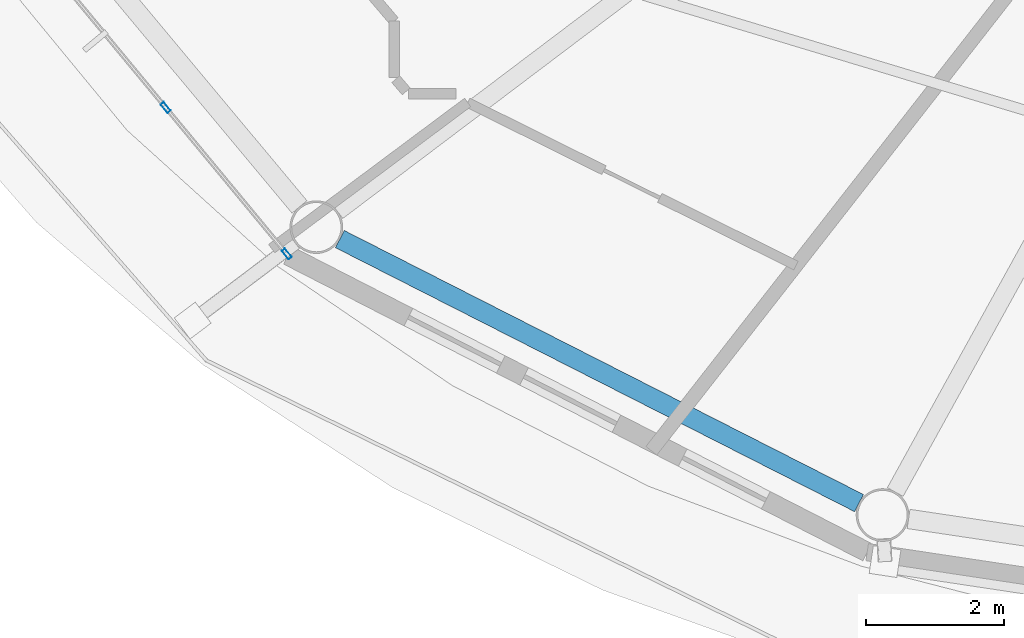
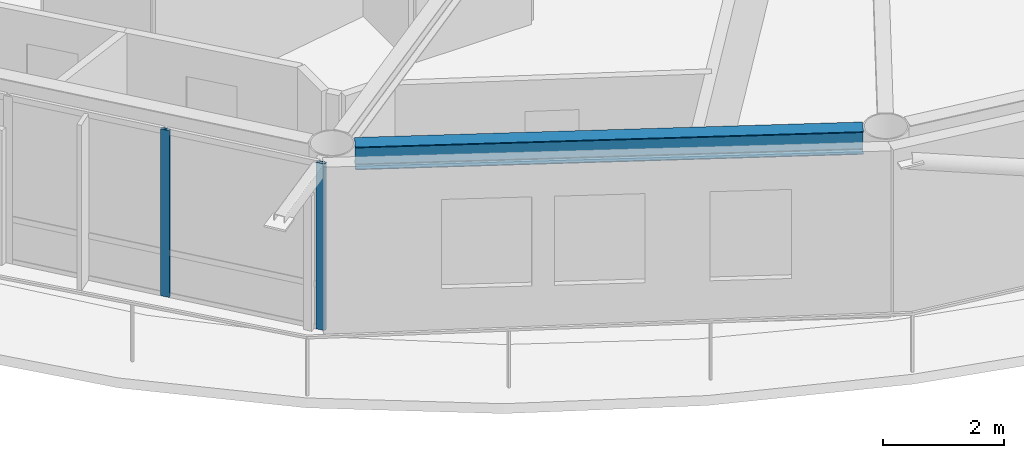
# One storey, part 2 of 22: 2 members, 1 beam, 1 element without a shape of its own.
"""IFC4 building model written with IfcOpenShell, lengths in metres."""

import ifcopenshell
import ifcopenshell.guid

model = None  # the IFC model being written
_history = None  # IfcOwnerHistory: only IFC2X3 demands one
_inside = {}  # id of a spatial element -> (the spatial element, [elements in it])
_under = {}  # id of a project, library or spatial element -> (it, [spatial elements below it])
_declared = {}  # id of a project -> (the project, [libraries it declares])
_typed = {}  # id of a type object -> (the type object, [elements of that type])
_made_of = {}  # id of a material, layer set ... -> (it, [elements and type objects made of it])


def new_model(schema):
    """Start an empty IFC model of exactly this schema.

    Asked for "IFC4X3", IfcOpenShell would pick the latest addendum, in which some entities
    have other attributes; the version numbers below select the first issue.
    IFC2X3 requires an IfcOwnerHistory on every rooted entity: one is made here for all.
    """
    global model, _history
    if schema == "IFC4X3":
        model = ifcopenshell.file(schema_version=(4, 3, 0, 0))
    else:
        model = ifcopenshell.file(schema=schema)
    _inside.clear()
    _under.clear()
    _declared.clear()
    _typed.clear()
    _made_of.clear()
    _history = None
    if model.schema == "IFC2X3":
        org = make("IfcOrganization", Name="unknown")
        user = make(
            "IfcPersonAndOrganization",
            ThePerson=make("IfcPerson", FamilyName="unknown"),
            TheOrganization=org,
        )
        app = make(
            "IfcApplication",
            ApplicationDeveloper=org,
            Version="unknown",
            ApplicationFullName="unknown",
            ApplicationIdentifier="unknown",
        )
        _history = make(
            "IfcOwnerHistory",
            OwningUser=user,
            OwningApplication=app,
            ChangeAction="ADDED",
            CreationDate=0,
        )
    return model


def make(cls, **values):
    """One entity of the class cls with the attributes given. An attribute that is None is left unset."""
    return model.create_entity(
        cls, **{name: value for name, value in values.items() if value is not None}
    )


def rooted(cls, **values):
    """An entity with a GlobalId (a new one), such as an element, a storey or a relation."""
    return make(cls, GlobalId=ifcopenshell.guid.new(), OwnerHistory=_history, **values)


def si_unit(unit_type, name, prefix=None):
    """IfcSIUnit, for example si_unit("LENGTHUNIT", "METRE", prefix="MILLI")."""
    return make("IfcSIUnit", UnitType=unit_type, Prefix=prefix, Name=name)


def assignment(units):
    """IfcUnitAssignment: the units of a project."""
    return None if units is None else make("IfcUnitAssignment", Units=units)


def point(xyz):
    """IfcCartesianPoint."""
    return None if xyz is None else make("IfcCartesianPoint", Coordinates=xyz)


def direction(xyz):
    """IfcDirection."""
    return None if xyz is None else make("IfcDirection", DirectionRatios=xyz)


def frame(location, z_axis=None, x_axis=None):
    """IfcAxis2Placement3D, a coordinate frame: its origin and axes. An axis left out is left unset."""
    return make(
        "IfcAxis2Placement3D",
        Location=point(location),
        Axis=direction(z_axis),
        RefDirection=direction(x_axis),
    )


def frame_2d(location, x_axis=None):
    """IfcAxis2Placement2D, a coordinate frame in the plane: its origin and x axis."""
    return make(
        "IfcAxis2Placement2D", Location=point(location), RefDirection=direction(x_axis)
    )


def origin():
    """The frame at (0, 0, 0) with its axes left unset."""
    return frame((0.0, 0.0, 0.0))


def origin_2d():
    """The frame at (0, 0) in the plane with its x axis left unset."""
    return frame_2d((0.0, 0.0))


def place(relative_to, where):
    """IfcLocalPlacement: puts the frame where relative to a parent placement (None: the world)."""
    return make(
        "IfcLocalPlacement", PlacementRelTo=relative_to, RelativePlacement=where
    )


def context(
    kind, dimensions, precision=None, world=None, true_north=None, identifier=None
):
    """IfcGeometricRepresentationContext, for example the 3D "Model" context."""
    return make(
        "IfcGeometricRepresentationContext",
        ContextIdentifier=identifier,
        ContextType=kind,
        CoordinateSpaceDimension=dimensions,
        Precision=precision,
        WorldCoordinateSystem=world,
        TrueNorth=true_north,
    )


def subcontext(parent, identifier, kind, view, scale=None):
    """IfcGeometricRepresentationSubContext, for example "Body" below "Model"."""
    return make(
        "IfcGeometricRepresentationSubContext",
        ContextIdentifier=identifier,
        ContextType=kind,
        ParentContext=parent,
        TargetScale=scale,
        TargetView=view,
    )


def project(units=None, contexts=None):
    """IfcProject with its units and contexts."""
    return rooted(
        "IfcProject",
        Name="project",
        RepresentationContexts=contexts,
        UnitsInContext=assignment(units),
    )


def spatial(cls, under=None, at=None, **own):
    """A site, building, storey or space (cls), placed at a placement, below another one or the project."""
    s = rooted(cls, ObjectPlacement=at, **own)
    if under is not None:
        _under.setdefault(under.id(), (under, []))[1].append(s)
    return s


def profile(cls, at=None, kind="AREA", **sizes):
    """A parametric profile (cls). Its sizes go by their IFC names, for example OverallWidth=200.0."""
    return make(cls, ProfileType=kind, Position=at, **sizes)


def hollow_rectangle(**sizes):
    """IfcRectangleHollowProfileDef."""
    return profile("IfcRectangleHollowProfileDef", **sizes)


def i_section(**sizes):
    """IfcIShapeProfileDef."""
    return profile("IfcIShapeProfileDef", **sizes)


def extrude(swept, where, along, depth):
    """IfcExtrudedAreaSolid: the profile swept, set in the frame where, extruded along a direction by depth."""
    return make(
        "IfcExtrudedAreaSolid",
        SweptArea=swept,
        Position=where,
        ExtrudedDirection=direction(along),
        Depth=depth,
    )


def shape(context_of_items, identifier, shape_type, items):
    """IfcShapeRepresentation: the items that make up one representation, for example the "Body"."""
    return make(
        "IfcShapeRepresentation",
        ContextOfItems=context_of_items,
        RepresentationIdentifier=identifier,
        RepresentationType=shape_type,
        Items=items,
    )


def material(Name=None, Category=None):
    """IfcMaterial."""
    return make("IfcMaterial", Name=Name, Category=Category)


def layer(
    of_material, thickness, ventilated=None, Name=None, Category=None, Priority=None
):
    """IfcMaterialLayer: one layer of a wall or slab, of a material (None: an air gap)."""
    return make(
        "IfcMaterialLayer",
        Material=of_material,
        LayerThickness=thickness,
        IsVentilated=ventilated,
        Name=Name,
        Category=Category,
        Priority=Priority,
    )


def layer_set(layers, Name=None):
    """IfcMaterialLayerSet."""
    return make("IfcMaterialLayerSet", MaterialLayers=layers, LayerSetName=Name)


def material_profile(
    of_material, cross_section, Name=None, Category=None, Priority=None
):
    """IfcMaterialProfile: a cross section and its material."""
    return make(
        "IfcMaterialProfile",
        Name=Name,
        Material=of_material,
        Profile=cross_section,
        Priority=Priority,
        Category=Category,
    )


def profile_set(profiles, Name=None, composite=None):
    """IfcMaterialProfileSet."""
    return make(
        "IfcMaterialProfileSet",
        Name=Name,
        MaterialProfiles=profiles,
        CompositeProfile=composite,
    )


def made_of(thing, what):
    """Note that an element or type object is made of a material, layer set ...; save() writes the relation."""
    if what is not None:
        _made_of.setdefault(what.id(), (what, []))[1].append(thing)
    return thing


def type_object(cls, material=None, **own):
    """A type object (cls), such as IfcWallType, which elements share."""
    return made_of(rooted(cls, **own), material)


def element(
    cls,
    number,
    at=None,
    inside=None,
    cuts=None,
    type_object=None,
    material=None,
    context=None,
    identifier="Body",
    shape_type=None,
    held_by="IfcProductDefinitionShape",
    body=None,
    shapes=None,
    **own,
):
    """One element of the class cls, such as IfcWall. Its Tag is "e" and its number.

    at: its placement. inside: the storey or other place that contains it. cuts: it is an
    opening in that element (IfcRelVoidsElement). A single representation is given by context,
    identifier, shape_type and body (its items); several are given by shapes. held_by: the class
    of the entity that holds the representations. save() writes the other relations.
    """
    e = rooted(cls, Tag="e%d" % number, ObjectPlacement=at, **own)
    if body is not None:
        shapes = [shape(context, identifier, shape_type, body)]
    if shapes is not None:
        e.Representation = make(held_by, Representations=shapes)
    if inside is not None:
        _inside.setdefault(inside.id(), (inside, []))[1].append(e)
    if cuts is not None:
        rooted(
            "IfcRelVoidsElement", RelatingBuildingElement=cuts, RelatedOpeningElement=e
        )
    if type_object is not None:
        _typed.setdefault(type_object.id(), (type_object, []))[1].append(e)
    return made_of(e, material)


def aggregate(whole, parts):
    """IfcRelAggregates: a whole, such as a stair, and the parts it consists of."""
    return rooted("IfcRelAggregates", RelatingObject=whole, RelatedObjects=parts)


def save(model, path):
    """Write the relations noted so far, then the file.

    IfcRelAggregates (storeys below a building ...), IfcRelContainedInSpatialStructure (elements
    in a storey), IfcRelDefinesByType, IfcRelAssociatesMaterial and IfcRelDeclares: one each for
    every whole, place, type object, material and project.
    """
    for whole, parts in _under.values():
        aggregate(whole, parts)
    for where, things in _inside.values():
        rooted(
            "IfcRelContainedInSpatialStructure",
            RelatedElements=things,
            RelatingStructure=where,
        )
    for kind, things in _typed.values():
        rooted("IfcRelDefinesByType", RelatedObjects=things, RelatingType=kind)
    for what, things in _made_of.values():
        rooted("IfcRelAssociatesMaterial", RelatedObjects=things, RelatingMaterial=what)
    for by, libraries in _declared.values():
        rooted("IfcRelDeclares", RelatingContext=by, RelatedDefinitions=libraries)
    model.write(path)


model = new_model("IFC4")

# Units and contexts
model_context = context("Model", 3, precision=1e-05, world=origin(), true_north=direction((0.0, 1.0)))
body_context = subcontext(model_context, "Body", "Model", "MODEL_VIEW")
ifc_project = project(units=[si_unit("LENGTHUNIT", "METRE"), si_unit("AREAUNIT", "SQUARE_METRE"), si_unit("VOLUMEUNIT", "CUBIC_METRE"), si_unit("PLANEANGLEUNIT", "RADIAN"), si_unit("MASSUNIT", "GRAM", prefix="KILO")], contexts=[model_context])

# Site, building, storey
site_placement = place(None, origin())
site = spatial("IfcSite", under=ifc_project, at=site_placement, CompositionType="ELEMENT")
building_placement = place(site_placement, origin())
building = spatial("IfcBuilding", under=site, at=building_placement, Name="Sarneth Arch Tower", CompositionType="ELEMENT")
storey_placement = place(building_placement, frame((0.0, 0.0, 283.800048828125)))
storey = spatial("IfcBuildingStorey", under=building, at=storey_placement, Name="L73", CompositionType="ELEMENT", Elevation=283.800048828125)

# Beam
ifc_material_1 = material(Name="Steel S355", Category="steel")
ifc_material_profile_1 = material_profile(ifc_material_1, i_section(OverallWidth=0.280029296875, OverallDepth=0.462890625, WebThickness=0.0107421875, FlangeThickness=0.017333984375, FilletRadius=0.01806640625, at=origin_2d()), Name="W460x113")
ifc_profile_set_1 = profile_set([ifc_material_profile_1], Name="Steel S355")
beam_type = type_object("IfcBeamType", Name="BM-RAD-460A", PredefinedType="BEAM", material=ifc_profile_set_1)
beam_placement = place(storey_placement, frame((30.364501953125, 28.250732421875, 3.138427734375), z_axis=(0.891373613492, -0.453269325204, 0.0), x_axis=(0.453269325204, 0.891373613492, 0.0)))
element("IfcBeam", 1, at=beam_placement, inside=storey, type_object=beam_type, Name="L73 Perimeter spandrel beam 11", PredefinedType="BEAM", context=body_context, shape_type="SweptSolid", body=[
    extrude(i_section(OverallWidth=0.280029296875, OverallDepth=0.462890625, WebThickness=0.0107421875, FlangeThickness=0.017333984375, FilletRadius=0.01806640625, at=origin_2d()), origin(), (0.0, 0.0, 1.0), 8.419677734375),
])

# Curtain wall, members
ifc_material_2 = material(Name="Anodised aluminium Type AA25 and solar-control low-e laminated IGU", Category="aluminium")
ifc_layer = layer(ifc_material_2, 0.179931640625)
ifc_layer_set = layer_set([ifc_layer], Name="Anodised aluminium Type AA25 and solar-control low-e laminated IGU")
curtain_wall_type = type_object("IfcCurtainWallType", Name="CW-RES-HIGH", PredefinedType="NOTDEFINED", material=ifc_layer_set)
curtain_wall_placement = place(storey_placement, origin())
curtain_wall = element("IfcCurtainWall", 2, at=curtain_wall_placement, inside=storey, type_object=curtain_wall_type, Name="L73 Unitised curtain wall facet 10", PredefinedType="NOTDEFINED")
ifc_material_3 = material(Name="Anodised Aluminium 6063-T6", Category="aluminium")
ifc_material_profile_2 = material_profile(ifc_material_3, hollow_rectangle(XDim=0.06005859375, YDim=0.159912109375, WallThickness=0.00390625, at=origin_2d()), Name="AL-MULL-160x60x4")
ifc_profile_set_2 = profile_set([ifc_material_profile_2], Name="Anodised Aluminium 6063-T6")
member_type = type_object("IfcMemberType", Name="CW-MULLION", PredefinedType="MULLION", material=ifc_profile_set_2)
member_1_placement = place(storey_placement, frame((27.84716796875, 30.15234375, 0.0), z_axis=(0.0, 0.0, 1.0), x_axis=(0.770359245933, 0.637610094184, 0.0)))
member_1 = element("IfcMember", 3, at=member_1_placement, type_object=member_type, Name="CW-SYS-6 mullion 3", PredefinedType="MULLION", context=body_context, shape_type="SweptSolid", body=[
    extrude(hollow_rectangle(XDim=0.06005859375, YDim=0.159912109375, WallThickness=0.00390625, at=origin_2d()), origin(), (0.0, 0.0, 1.0), 3.369873046875),
])
member_2_placement = place(storey_placement, frame((29.598388671875, 28.03662109375, 0.0), z_axis=(0.0, 0.0, 1.0), x_axis=(0.770359245933, 0.637610094184, 0.0)))
member_2 = element("IfcMember", 4, at=member_2_placement, type_object=member_type, Name="CW-SYS-6 mullion 4", PredefinedType="MULLION", context=body_context, shape_type="SweptSolid", body=[
    extrude(hollow_rectangle(XDim=0.06005859375, YDim=0.159912109375, WallThickness=0.00390625, at=origin_2d()), origin(), (0.0, 0.0, 1.0), 3.369873046875),
])
aggregate(curtain_wall, [member_1, member_2])

save(model, "model.ifc")
